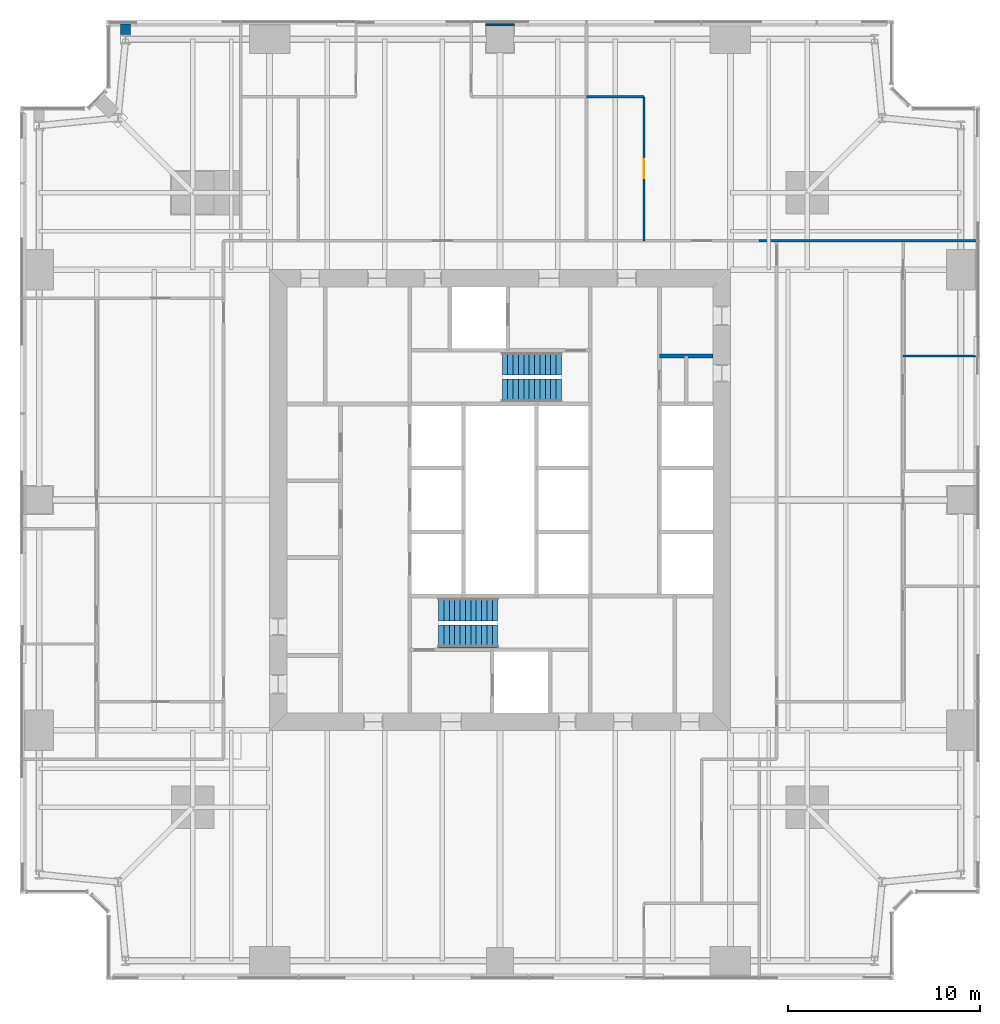
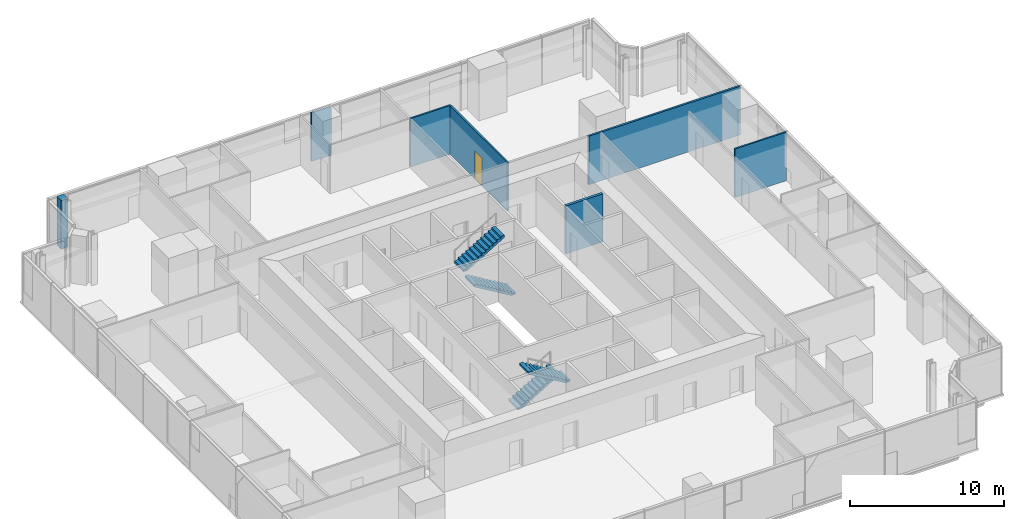
# One storey, part 12 of 14: 7 walls, 4 stair flights, 1 door, 1 opening, 2 elements without a shape of their own.
"""IFC4 building model written with IfcOpenShell, lengths in metres."""

from ifc_helpers import new_model, si_unit, direction, frame, frame_2d, origin, place, context, subcontext, project, spatial, polyline, rectangle, outline, extrude, material, layer, layer_set, type_object, element, fill, aggregate, save


model = new_model("IFC4")

# Units and contexts
model_context = context("Model", 3, precision=1e-05, world=origin(), true_north=direction((0.0, 1.0)))
body_context = subcontext(model_context, "Body", "Model", "MODEL_VIEW")
ifc_project = project(units=[si_unit("LENGTHUNIT", "METRE"), si_unit("AREAUNIT", "SQUARE_METRE"), si_unit("VOLUMEUNIT", "CUBIC_METRE"), si_unit("PLANEANGLEUNIT", "RADIAN"), si_unit("MASSUNIT", "GRAM", prefix="KILO")], contexts=[model_context])

# Site, building, storey
site_placement = place(None, origin())
site = spatial("IfcSite", under=ifc_project, at=site_placement, CompositionType="ELEMENT")
building_placement = place(site_placement, origin())
building = spatial("IfcBuilding", under=site, at=building_placement, Name="Fenwick Lantern Interchange", CompositionType="ELEMENT")
storey_placement = place(building_placement, frame((0.0, 0.0, 118.39990234375)))
storey = spatial("IfcBuildingStorey", under=building, at=storey_placement, Name="L27", CompositionType="ELEMENT", Elevation=118.39990234375)

# Walls
ifc_material_1 = material(Name="Fire-rated gypsum board encasement on steel studs, 2 hour", Category="steel")
ifc_layer_1 = layer(ifc_material_1, 1.5)
ifc_layer_set_1 = layer_set([ifc_layer_1], Name="COLUMN PIER 1500")
wall_type_1 = type_object("IfcWallType", Name="COLUMN PIER 1500", PredefinedType="PARTITIONING", material=ifc_layer_set_1)
wall_1_placement = place(storey_placement, frame((25.0, 49.800048828125, 0.0), z_axis=(0.0, 0.0, 1.0), x_axis=(0.0, -1.0, 0.0)))
element("IfcWall", 1, at=wall_1_placement, inside=storey, type_object=wall_type_1, Name="L27/W/PIER/CN3", PredefinedType="PARTITIONING", context=body_context, shape_type="SweptSolid", body=[
    extrude(rectangle(XDim=0.10009765625, YDim=1.5, at=frame_2d((0.050048828125, 0.0))), origin(), (0.0, 0.0, 1.0), 3.85009765625),
])
ifc_layer_2 = layer(ifc_material_1, 0.52392578125)
ifc_layer_set_2 = layer_set([ifc_layer_2], Name="COLUMN PIER 524")
wall_type_2 = type_object("IfcWallType", Name="COLUMN PIER 524", PredefinedType="PARTITIONING", material=ifc_layer_set_2)
wall_2_placement = place(storey_placement, frame((5.5, 49.800048828125, 0.0), z_axis=(0.0, 0.0, 1.0), x_axis=(0.0, -1.0, 0.0)))
element("IfcWall", 2, at=wall_2_placement, inside=storey, type_object=wall_type_2, Name="L27/W/PIER/CN5", PredefinedType="PARTITIONING", context=body_context, shape_type="SweptSolid", body=[
    extrude(rectangle(XDim=0.5625, YDim=0.52392578125, at=frame_2d((0.28125, 0.0))), origin(), (0.0, 0.0, 1.0), 3.85009765625),
])
ifc_material_2 = material(Name="Concrete masonry ASTM C90 Grade N", Category="masonry")
ifc_layer_3 = layer(ifc_material_2, 0.199951171875)
ifc_layer_set_3 = layer_set([ifc_layer_3], Name="Concrete masonry ASTM C90 Grade N")
wall_type_3 = type_object("IfcWallType", Name="CORE PARTITION 200", PredefinedType="PARTITIONING", material=ifc_layer_set_3)
wall_3_placement = place(storey_placement, frame((36.10009765625, 32.5, 0.0), z_axis=(0.0, 0.0, 1.0), x_axis=(-1.0, 0.0, 0.0)))
element("IfcWall", 3, at=wall_3_placement, inside=storey, type_object=wall_type_3, Name="L27/W/COREN/p1", PredefinedType="PARTITIONING", context=body_context, shape_type="SweptSolid", body=[
    extrude(rectangle(XDim=2.800048828125, YDim=0.199951171875, at=frame_2d((1.39990234375, 0.0))), origin(), (0.0, 0.0, 1.0), 3.800048828125),
])
ifc_material_3 = material(Name="Gypsum board on steel studs, acoustic", Category="steel")
ifc_layer_4 = layer(ifc_material_3, 0.125)
ifc_layer_set_4 = layer_set([ifc_layer_4], Name="OFFICE PARTITION 125")
wall_type_4 = type_object("IfcWallType", Name="OFFICE PARTITION 125", PredefinedType="PARTITIONING", material=ifc_layer_set_4)
wall_4_placement = place(storey_placement, frame((49.85009765625, 32.5, 0.0), z_axis=(0.0, 0.0, 1.0), x_axis=(-1.0, 0.0, 0.0)))
element("IfcWall", 4, at=wall_4_placement, inside=storey, type_object=wall_type_4, Name="L27/W/OFF/E/X325-1", PredefinedType="PARTITIONING", context=body_context, shape_type="SweptSolid", body=[
    extrude(rectangle(XDim=3.85009765625, YDim=0.125, at=frame_2d((1.925048828125, 0.0))), origin(), (0.0, 0.0, 1.0), 3.85009765625),
])

# Wall, opening, door
wall_5_placement = place(storey_placement, frame((32.5, 46.0, 0.0), z_axis=(0.0, 0.0, 1.0), x_axis=(0.0, -1.0, 0.0)))
wall_5 = element("IfcWall", 5, at=wall_5_placement, inside=storey, type_object=wall_type_4, Name="L27/W/OFF/N/X175-1", PredefinedType="PARTITIONING", context=body_context, shape_type="SweptSolid", body=[
    extrude(rectangle(XDim=7.5, YDim=0.125, at=frame_2d((3.75, 0.0))), origin(), (0.0, 0.0, 1.0), 3.85009765625),
])
opening_placement = place(wall_5_placement, frame((3.25, 0.0, 0.0)))
opening = element("IfcOpeningElement", 6, at=opening_placement, cuts=wall_5, Name="Opening L27-D030", PredefinedType="OPENING", context=body_context, shape_type="SweptSolid", body=[
    extrude(rectangle(XDim=1.0, YDim=2.199951171875, at=frame_2d((0.5, 1.10009765625))), frame((0.0, 0.072509765625, 0.0), z_axis=(0.0, -1.0, 0.0), x_axis=(1.0, 0.0, 0.0)), (0.0, 0.0, 1.0), 0.14501953125),
])
ifc_material_4 = material(Name="Hardwood door and steel frame", Category="steel")
door_type = type_object("IfcDoorType", Name="MEETING ROOM DOOR 1000 X 2200", OperationType="SINGLE_SWING_LEFT", PredefinedType="DOOR", material=ifc_material_4)
door_placement = place(opening_placement, frame((1.0, 0.0, 0.0), z_axis=(0.0, 0.0, 1.0), x_axis=(-1.0, 0.0, 0.0)))
door = element("IfcDoor", 7, at=door_placement, inside=storey, type_object=door_type, Name="Meeting room door", OperationType="SINGLE_SWING_RIGHT", OverallHeight=2.199951171875, OverallWidth=1.0, PredefinedType="DOOR", context=body_context, shape_type="SweptSolid", body=[
    extrude(rectangle(XDim=1.0, YDim=2.199951171875, at=frame_2d((0.5, 1.10009765625))), frame((0.0, 0.02490234375, 0.0), z_axis=(0.0, -1.0, 0.0), x_axis=(1.0, 0.0, 0.0)), (0.0, 0.0, 1.0), 0.050048828125),
])
fill(opening, door)

# Walls
wall_6_placement = place(storey_placement, frame((32.5, 46.0, 0.0), z_axis=(0.0, 0.0, 1.0), x_axis=(-1.0, 0.0, 0.0)))
element("IfcWall", 8, at=wall_6_placement, inside=storey, type_object=wall_type_4, Name="L27/W/OFF/N/Y40-1", PredefinedType="PARTITIONING", context=body_context, shape_type="SweptSolid", body=[
    extrude(rectangle(XDim=3.0, YDim=0.125, at=frame_2d((1.5, 0.0))), origin(), (0.0, 0.0, 1.0), 3.85009765625),
])
ifc_material_5 = material(Name="Gypsum board on steel studs, 1 hour acoustic", Category="steel")
ifc_layer_5 = layer(ifc_material_5, 0.14990234375)
ifc_layer_set_5 = layer_set([ifc_layer_5], Name="TENANT WALL 150")
wall_type_5 = type_object("IfcWallType", Name="TENANT WALL 150", PredefinedType="PARTITIONING", material=ifc_layer_set_5)
wall_7_placement = place(storey_placement, frame((49.85009765625, 38.5, 0.0), z_axis=(0.0, 0.0, 1.0), x_axis=(-1.0, 0.0, 0.0)))
element("IfcWall", 9, at=wall_7_placement, inside=storey, type_object=wall_type_5, Name="L27/W/OFF/N/BACK", PredefinedType="PARTITIONING", context=body_context, shape_type="SweptSolid", body=[
    extrude(rectangle(XDim=11.35009765625, YDim=0.14990234375, at=frame_2d((5.675048828125, 0.0))), origin(), (0.0, 0.0, 1.0), 3.85009765625),
])

# Stair, stair flights
ifc_material_6 = material(Name="Precast concrete f'c 35 MPa", Category="concrete")
stair_type = type_object("IfcStairType", Name="EXIT STAIR 1200", PredefinedType="HALF_TURN_STAIR", material=ifc_material_6)
stair_1_placement = place(storey_placement, origin())
stair_1 = element("IfcStair", 10, at=stair_1_placement, inside=storey, type_object=stair_type, Name="Exit stair ST1", PredefinedType="HALF_TURN_STAIR")
stair_flight_type = type_object("IfcStairFlightType", Name="STAIR FLIGHT 1200", PredefinedType="STRAIGHT", material=ifc_material_6)
stair_flight_1_placement = place(storey_placement, frame((21.800048828125, 19.300048828125, 0.0), z_axis=(0.0, 0.0, 1.0), x_axis=(1.0, 0.0, 0.0)))
stair_flight_1 = element("IfcStairFlight", 11, at=stair_flight_1_placement, type_object=stair_flight_type, Name="ST1 flight 1", NumberOfRisers=12, NumberOfTreads=11, PredefinedType="STRAIGHT", RiserHeight=0.166666667, TreadLength=0.28, context=body_context, shape_type="SweptSolid", body=[
    extrude(outline(polyline([(0.0, 0.0), (0.0, 0.166748046875), (0.280029296875, 0.166748046875), (0.280029296875, 0.333251953125), (0.56005859375, 0.333251953125), (0.56005859375, 0.5), (0.840087890625, 0.5), (0.840087890625, 0.666748046875), (1.1201171875, 0.666748046875), (1.1201171875, 0.833251953125), (1.39990234375, 0.833251953125), (1.39990234375, 1.0), (1.679931640625, 1.0), (1.679931640625, 1.166748046875), (1.9599609375, 1.166748046875), (1.9599609375, 1.333251953125), (2.239990234375, 1.333251953125), (2.239990234375, 1.5), (2.52001953125, 1.5), (2.52001953125, 1.666748046875), (2.800048828125, 1.666748046875), (2.800048828125, 1.833251953125), (3.080078125, 1.833251953125), (3.080078125, 2.0), (3.080078125, 1.658935546875), (0.29296875, 0.0), (0.0, 0.0)])), frame((0.0, 0.60009765625, 0.0), z_axis=(0.0, -1.0, 0.0), x_axis=(1.0, 0.0, 0.0)), (0.0, 0.0, 1.0), 1.199951171875),
])
stair_flight_2_placement = place(storey_placement, frame((24.8798828125, 17.89990234375, 2.0), z_axis=(0.0, 0.0, 1.0), x_axis=(-1.0, 0.0, 0.0)))
stair_flight_2 = element("IfcStairFlight", 12, at=stair_flight_2_placement, type_object=stair_flight_type, Name="ST1 flight 2", NumberOfRisers=12, NumberOfTreads=11, PredefinedType="STRAIGHT", RiserHeight=0.166666667, TreadLength=0.28, context=body_context, shape_type="SweptSolid", body=[
    extrude(outline(polyline([(0.0, 0.0), (0.0, 0.166748046875), (0.280029296875, 0.166748046875), (0.280029296875, 0.333251953125), (0.56005859375, 0.333251953125), (0.56005859375, 0.5), (0.840087890625, 0.5), (0.840087890625, 0.666748046875), (1.1201171875, 0.666748046875), (1.1201171875, 0.833251953125), (1.39990234375, 0.833251953125), (1.39990234375, 1.0), (1.679931640625, 1.0), (1.679931640625, 1.166748046875), (1.9599609375, 1.166748046875), (1.9599609375, 1.333251953125), (2.239990234375, 1.333251953125), (2.239990234375, 1.5), (2.52001953125, 1.5), (2.52001953125, 1.666748046875), (2.800048828125, 1.666748046875), (2.800048828125, 1.833251953125), (3.080078125, 1.833251953125), (3.080078125, 2.0), (3.080078125, 1.658935546875), (0.29296875, 0.0), (0.0, 0.0)])), frame((0.0, 0.60009765625, 0.0), z_axis=(0.0, -1.0, 0.0), x_axis=(1.0, 0.0, 0.0)), (0.0, 0.0, 1.0), 1.199951171875),
])
aggregate(stair_1, [stair_flight_1, stair_flight_2])

stair_2_placement = place(storey_placement, origin())
stair_2 = element("IfcStair", 13, at=stair_2_placement, inside=storey, type_object=stair_type, Name="Exit stair ST2", PredefinedType="HALF_TURN_STAIR")
stair_flight_3_placement = place(storey_placement, frame((28.199951171875, 30.699951171875, 0.0), z_axis=(0.0, 0.0, 1.0), x_axis=(-1.0, 0.0, 0.0)))
stair_flight_3 = element("IfcStairFlight", 14, at=stair_flight_3_placement, type_object=stair_flight_type, Name="ST2 flight 1", NumberOfRisers=12, NumberOfTreads=11, PredefinedType="STRAIGHT", RiserHeight=0.166666667, TreadLength=0.28, context=body_context, shape_type="SweptSolid", body=[
    extrude(outline(polyline([(0.0, 0.0), (0.0, 0.166748046875), (0.280029296875, 0.166748046875), (0.280029296875, 0.333251953125), (0.56005859375, 0.333251953125), (0.56005859375, 0.5), (0.840087890625, 0.5), (0.840087890625, 0.666748046875), (1.1201171875, 0.666748046875), (1.1201171875, 0.833251953125), (1.39990234375, 0.833251953125), (1.39990234375, 1.0), (1.679931640625, 1.0), (1.679931640625, 1.166748046875), (1.9599609375, 1.166748046875), (1.9599609375, 1.333251953125), (2.239990234375, 1.333251953125), (2.239990234375, 1.5), (2.52001953125, 1.5), (2.52001953125, 1.666748046875), (2.800048828125, 1.666748046875), (2.800048828125, 1.833251953125), (3.080078125, 1.833251953125), (3.080078125, 2.0), (3.080078125, 1.658935546875), (0.29296875, 0.0), (0.0, 0.0)])), frame((0.0, 0.60009765625, 0.0), z_axis=(0.0, -1.0, 0.0), x_axis=(1.0, 0.0, 0.0)), (0.0, 0.0, 1.0), 1.199951171875),
])
stair_flight_4_placement = place(storey_placement, frame((25.1201171875, 32.10009765625, 2.0), z_axis=(0.0, 0.0, 1.0), x_axis=(1.0, 0.0, 0.0)))
stair_flight_4 = element("IfcStairFlight", 15, at=stair_flight_4_placement, type_object=stair_flight_type, Name="ST2 flight 2", NumberOfRisers=12, NumberOfTreads=11, PredefinedType="STRAIGHT", RiserHeight=0.166666667, TreadLength=0.28, context=body_context, shape_type="SweptSolid", body=[
    extrude(outline(polyline([(0.0, 0.0), (0.0, 0.166748046875), (0.280029296875, 0.166748046875), (0.280029296875, 0.333251953125), (0.56005859375, 0.333251953125), (0.56005859375, 0.5), (0.840087890625, 0.5), (0.840087890625, 0.666748046875), (1.1201171875, 0.666748046875), (1.1201171875, 0.833251953125), (1.39990234375, 0.833251953125), (1.39990234375, 1.0), (1.679931640625, 1.0), (1.679931640625, 1.166748046875), (1.9599609375, 1.166748046875), (1.9599609375, 1.333251953125), (2.239990234375, 1.333251953125), (2.239990234375, 1.5), (2.52001953125, 1.5), (2.52001953125, 1.666748046875), (2.800048828125, 1.666748046875), (2.800048828125, 1.833251953125), (3.080078125, 1.833251953125), (3.080078125, 2.0), (3.080078125, 1.658935546875), (0.29296875, 0.0), (0.0, 0.0)])), frame((0.0, 0.60009765625, 0.0), z_axis=(0.0, -1.0, 0.0), x_axis=(1.0, 0.0, 0.0)), (0.0, 0.0, 1.0), 1.199951171875),
])
aggregate(stair_2, [stair_flight_3, stair_flight_4])

save(model, "model.ifc")
